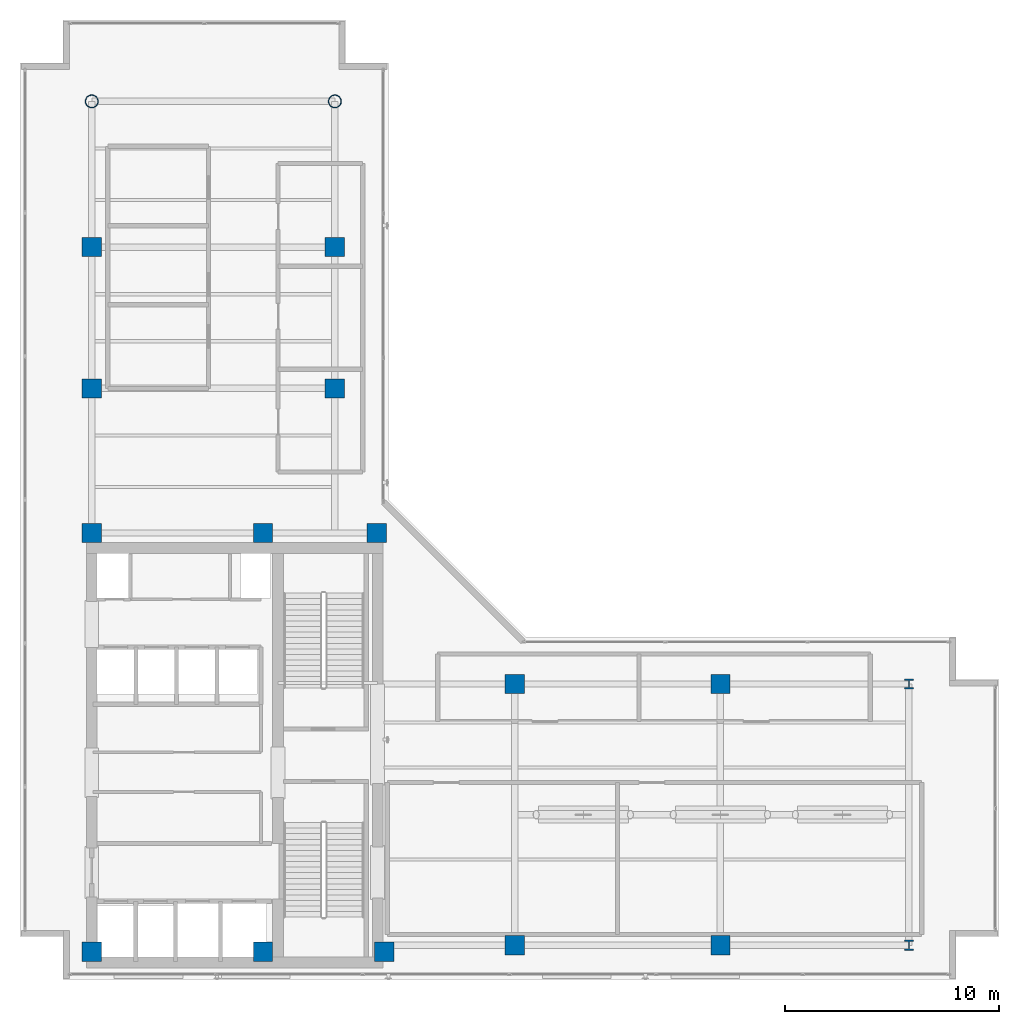
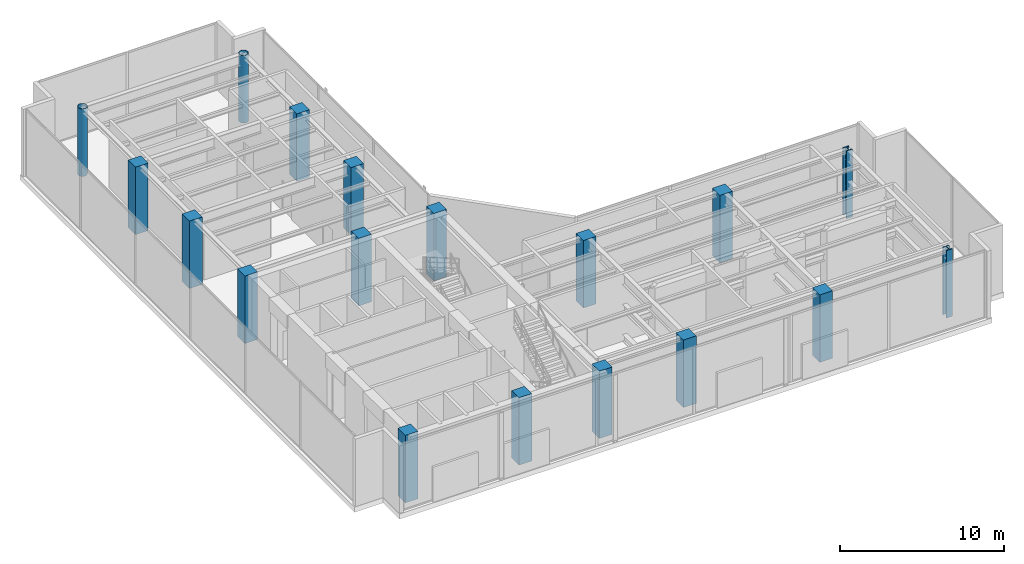
# One storey, part 1 of 29: 18 columns.
"""IFC4 building model written with IfcOpenShell, lengths in metres."""

from ifc_helpers import new_model, si_unit, direction, frame, origin, origin_2d, place, context, subcontext, project, spatial, rectangle, hollow_circle, i_section, extrude, material, material_profile, profile_set, type_object, element, save


model = new_model("IFC4")

# Units and contexts
model_context = context("Model", 3, precision=1e-05, world=origin(), true_north=direction((0.0, 1.0)))
body_context = subcontext(model_context, "Body", "Model", "MODEL_VIEW")
ifc_project = project(units=[si_unit("LENGTHUNIT", "METRE"), si_unit("AREAUNIT", "SQUARE_METRE"), si_unit("VOLUMEUNIT", "CUBIC_METRE"), si_unit("PLANEANGLEUNIT", "RADIAN"), si_unit("MASSUNIT", "GRAM", prefix="KILO")], contexts=[model_context])

# Site, building, storey
site_placement = place(None, origin())
site = spatial("IfcSite", under=ifc_project, at=site_placement, CompositionType="ELEMENT")
building_placement = place(site_placement, origin())
building = spatial("IfcBuilding", under=site, at=building_placement, Name="Kolvaren Waterfront Exchange", CompositionType="ELEMENT")
storey_placement = place(building_placement, frame((0.0, 0.0, 338.800048828125)))
storey = spatial("IfcBuildingStorey", under=building, at=storey_placement, Name="L87", CompositionType="ELEMENT", Elevation=338.800048828125)

# Columns
ifc_material_1 = material(Name="Concrete C50/60", Category="concrete")
ifc_material_profile_1 = material_profile(ifc_material_1, rectangle(XDim=0.89990234375, YDim=0.89990234375, at=origin_2d()), Name="RC-COL-900x900")
ifc_profile_set_1 = profile_set([ifc_material_profile_1], Name="Concrete C50/60")
column_type_1 = type_object("IfcColumnType", Name="STR-COL-900-C50", PredefinedType="COLUMN", material=ifc_profile_set_1)
for number, where, z_axis, x_axis, name in (
    (1, (7.449951171875, 4.89990234375, 0.0), (0.0, 0.0, 1.0), (1.0, 0.0, 0.0), "L87 column MC01"),
    (2, (15.449951171875, 4.89990234375, 0.0), (0.0, 0.0, 1.0), (1.0, 0.0, 0.0), "L87 column MC02"),
    (3, (21.10009765625, 4.89990234375, 0.0), (0.0, 0.0, 1.0), (1.0, 0.0, 0.0), "L87 column MC03"),
    (4, (7.449951171875, 24.449951171875, 0.0), (0.0, 0.0, 1.0), (1.0, 0.0, 0.0), "L87 column MC04"),
    (5, (15.449951171875, 24.449951171875, 0.0), (0.0, 0.0, 1.0), (1.0, 0.0, 0.0), "L87 column MC05"),
    (6, (20.75, 24.449951171875, 0.0), (0.0, 0.0, 1.0), (1.0, 0.0, 0.0), "L87 column MC06"),
    (7, (7.449951171875, 31.199951171875, 0.0), (0.0, 0.0, 1.0), (1.0, 0.0, 0.0), "L87 column NC01"),
    (8, (7.449951171875, 37.800048828125, 0.0), (0.0, 0.0, 1.0), (1.0, 0.0, 0.0), "L87 column NC02"),
    (9, (18.800048828125, 31.199951171875, 0.0), (0.0, 0.0, 1.0), (1.0, 0.0, 0.0), "L87 column NC04"),
    (10, (18.800048828125, 37.800048828125, 0.0), (0.0, 0.0, 1.0), (1.0, 0.0, 0.0), "L87 column NC05"),
    (11, (27.199951171875, 5.199951171875, 0.0), (0.0, 0.0, 1.0), (1.0, 0.0, 0.0), "L87 column EC01"),
    (12, (36.800048828125, 5.199951171875, 0.0), (0.0, 0.0, 1.0), (1.0, 0.0, 0.0), "L87 column EC02"),
    (13, (27.199951171875, 17.39990234375, 0.0), (0.0, 0.0, 1.0), (1.0, 0.0, 0.0), "L87 column EC04"),
    (14, (36.800048828125, 17.39990234375, 0.0), (0.0, 0.0, 1.0), (1.0, 0.0, 0.0), "L87 column EC05"),
):
    element("IfcColumn", number, at=place(storey_placement, frame(where, z_axis=z_axis, x_axis=x_axis)), inside=storey, type_object=column_type_1, Name=name, PredefinedType="COLUMN", context=body_context, shape_type="SweptSolid", body=[
        extrude(rectangle(XDim=0.89990234375, YDim=0.89990234375, at=origin_2d()), origin(), (0.0, 0.0, 1.0), 5.02001953125),
    ])
ifc_material_2 = material(Name="Steel S460", Category="steel")
ifc_material_profile_2 = material_profile(ifc_material_2, hollow_circle(Radius=0.304931640625, WallThickness=0.02490234375, at=origin_2d()), Name="CHS610x25")
ifc_profile_set_2 = profile_set([ifc_material_profile_2], Name="Steel S460")
column_type_2 = type_object("IfcColumnType", Name="STR-COL-CHS610", PredefinedType="COLUMN", material=ifc_profile_set_2)
for number, where, z_axis, x_axis, name in (
    (15, (7.449951171875, 44.60009765625, 0.0), (0.0, 0.0, 1.0), (1.0, 0.0, 0.0), "L87 column NC03"),
    (16, (18.800048828125, 44.60009765625, 0.0), (0.0, 0.0, 1.0), (1.0, 0.0, 0.0), "L87 column NC06"),
):
    element("IfcColumn", number, at=place(storey_placement, frame(where, z_axis=z_axis, x_axis=x_axis)), inside=storey, type_object=column_type_2, Name=name, PredefinedType="COLUMN", context=body_context, shape_type="SweptSolid", body=[
        extrude(hollow_circle(Radius=0.304931640625, WallThickness=0.02490234375, at=origin_2d()), origin(), (0.0, 0.0, 1.0), 5.02001953125),
    ])
ifc_material_profile_3 = material_profile(ifc_material_2, i_section(OverallWidth=0.424072265625, OverallDepth=0.47412109375, WebThickness=0.04296875, FlangeThickness=0.070068359375, FilletRadius=0.014892578125, at=origin_2d()), Name="HD400x634")
ifc_profile_set_3 = profile_set([ifc_material_profile_3], Name="Steel S460")
column_type_3 = type_object("IfcColumnType", Name="STR-COL-HD634", PredefinedType="COLUMN", material=ifc_profile_set_3)
for number, where, z_axis, x_axis, name in (
    (17, (45.60009765625, 5.199951171875, 0.0), (0.0, 0.0, 1.0), (1.0, 0.0, 0.0), "L87 column EC03"),
    (18, (45.60009765625, 17.39990234375, 0.0), (0.0, 0.0, 1.0), (1.0, 0.0, 0.0), "L87 column EC06"),
):
    element("IfcColumn", number, at=place(storey_placement, frame(where, z_axis=z_axis, x_axis=x_axis)), inside=storey, type_object=column_type_3, Name=name, PredefinedType="COLUMN", context=body_context, shape_type="SweptSolid", body=[
        extrude(i_section(OverallWidth=0.424072265625, OverallDepth=0.47412109375, WebThickness=0.04296875, FlangeThickness=0.070068359375, FilletRadius=0.014892578125, at=origin_2d()), origin(), (0.0, 0.0, 1.0), 5.02001953125),
    ])

save(model, "model.ifc")
